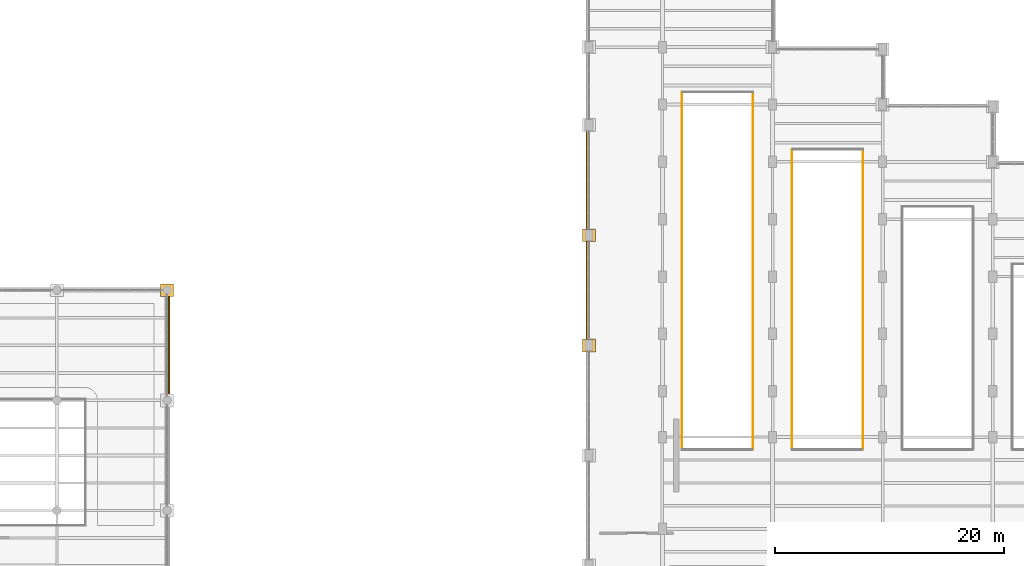
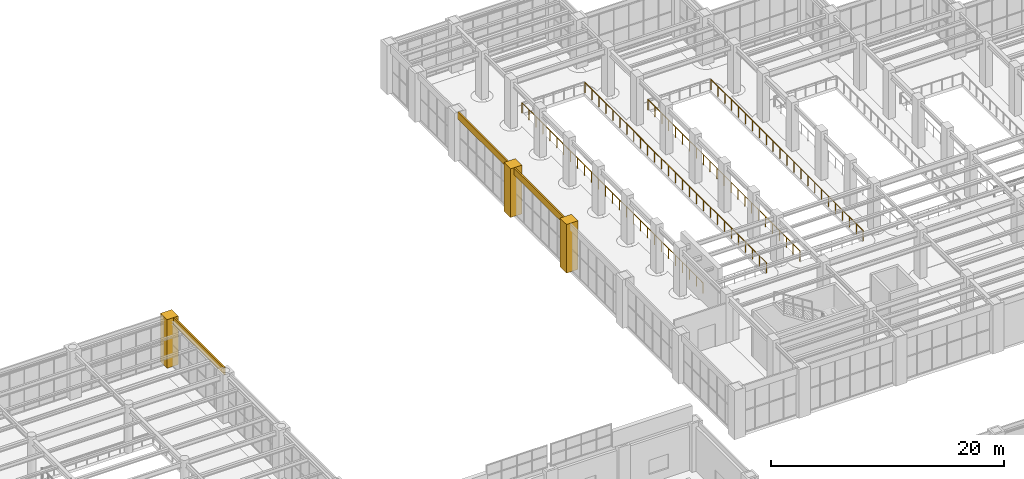
# One storey, part 169 of 174: 6 coverings, 4 railings.
"""IFC4 building model written with IfcOpenShell, lengths in metres."""

import ifcopenshell
import ifcopenshell.guid

model = None  # the IFC model being written
_history = None  # IfcOwnerHistory: only IFC2X3 demands one
_inside = {}  # id of a spatial element -> (the spatial element, [elements in it])
_under = {}  # id of a project, library or spatial element -> (it, [spatial elements below it])
_declared = {}  # id of a project -> (the project, [libraries it declares])
_typed = {}  # id of a type object -> (the type object, [elements of that type])
_made_of = {}  # id of a material, layer set ... -> (it, [elements and type objects made of it])


def new_model(schema):
    """Start an empty IFC model of exactly this schema.

    Asked for "IFC4X3", IfcOpenShell would pick the latest addendum, in which some entities
    have other attributes; the version numbers below select the first issue.
    IFC2X3 requires an IfcOwnerHistory on every rooted entity: one is made here for all.
    """
    global model, _history
    if schema == "IFC4X3":
        model = ifcopenshell.file(schema_version=(4, 3, 0, 0))
    else:
        model = ifcopenshell.file(schema=schema)
    _inside.clear()
    _under.clear()
    _declared.clear()
    _typed.clear()
    _made_of.clear()
    _history = None
    if model.schema == "IFC2X3":
        org = make("IfcOrganization", Name="unknown")
        user = make(
            "IfcPersonAndOrganization",
            ThePerson=make("IfcPerson", FamilyName="unknown"),
            TheOrganization=org,
        )
        app = make(
            "IfcApplication",
            ApplicationDeveloper=org,
            Version="unknown",
            ApplicationFullName="unknown",
            ApplicationIdentifier="unknown",
        )
        _history = make(
            "IfcOwnerHistory",
            OwningUser=user,
            OwningApplication=app,
            ChangeAction="ADDED",
            CreationDate=0,
        )
    return model


def make(cls, **values):
    """One entity of the class cls with the attributes given. An attribute that is None is left unset."""
    return model.create_entity(
        cls, **{name: value for name, value in values.items() if value is not None}
    )


def rooted(cls, **values):
    """An entity with a GlobalId (a new one), such as an element, a storey or a relation."""
    return make(cls, GlobalId=ifcopenshell.guid.new(), OwnerHistory=_history, **values)


def si_unit(unit_type, name, prefix=None):
    """IfcSIUnit, for example si_unit("LENGTHUNIT", "METRE", prefix="MILLI")."""
    return make("IfcSIUnit", UnitType=unit_type, Prefix=prefix, Name=name)


def assignment(units):
    """IfcUnitAssignment: the units of a project."""
    return None if units is None else make("IfcUnitAssignment", Units=units)


def point(xyz):
    """IfcCartesianPoint."""
    return None if xyz is None else make("IfcCartesianPoint", Coordinates=xyz)


def direction(xyz):
    """IfcDirection."""
    return None if xyz is None else make("IfcDirection", DirectionRatios=xyz)


def frame(location, z_axis=None, x_axis=None):
    """IfcAxis2Placement3D, a coordinate frame: its origin and axes. An axis left out is left unset."""
    return make(
        "IfcAxis2Placement3D",
        Location=point(location),
        Axis=direction(z_axis),
        RefDirection=direction(x_axis),
    )


def frame_2d(location, x_axis=None):
    """IfcAxis2Placement2D, a coordinate frame in the plane: its origin and x axis."""
    return make(
        "IfcAxis2Placement2D", Location=point(location), RefDirection=direction(x_axis)
    )


def origin():
    """The frame at (0, 0, 0) with its axes left unset."""
    return frame((0.0, 0.0, 0.0))


def origin_2d():
    """The frame at (0, 0) in the plane with its x axis left unset."""
    return frame_2d((0.0, 0.0))


def place(relative_to, where):
    """IfcLocalPlacement: puts the frame where relative to a parent placement (None: the world)."""
    return make(
        "IfcLocalPlacement", PlacementRelTo=relative_to, RelativePlacement=where
    )


def context(
    kind, dimensions, precision=None, world=None, true_north=None, identifier=None
):
    """IfcGeometricRepresentationContext, for example the 3D "Model" context."""
    return make(
        "IfcGeometricRepresentationContext",
        ContextIdentifier=identifier,
        ContextType=kind,
        CoordinateSpaceDimension=dimensions,
        Precision=precision,
        WorldCoordinateSystem=world,
        TrueNorth=true_north,
    )


def subcontext(parent, identifier, kind, view, scale=None):
    """IfcGeometricRepresentationSubContext, for example "Body" below "Model"."""
    return make(
        "IfcGeometricRepresentationSubContext",
        ContextIdentifier=identifier,
        ContextType=kind,
        ParentContext=parent,
        TargetScale=scale,
        TargetView=view,
    )


def project(units=None, contexts=None):
    """IfcProject with its units and contexts."""
    return rooted(
        "IfcProject",
        Name="project",
        RepresentationContexts=contexts,
        UnitsInContext=assignment(units),
    )


def spatial(cls, under=None, at=None, **own):
    """A site, building, storey or space (cls), placed at a placement, below another one or the project."""
    s = rooted(cls, ObjectPlacement=at, **own)
    if under is not None:
        _under.setdefault(under.id(), (under, []))[1].append(s)
    return s


def polyline(points):
    """IfcPolyline through the points."""
    return make("IfcPolyline", Points=[point(p) for p in points])


def profile(cls, at=None, kind="AREA", **sizes):
    """A parametric profile (cls). Its sizes go by their IFC names, for example OverallWidth=200.0."""
    return make(cls, ProfileType=kind, Position=at, **sizes)


def circle(**sizes):
    """IfcCircleProfileDef."""
    return profile("IfcCircleProfileDef", **sizes)


def outline(outer, holes=None, kind="AREA"):
    """IfcArbitraryClosedProfileDef: a profile drawn as a closed curve; with holes, ...WithVoids."""
    if holes is None:
        return make("IfcArbitraryClosedProfileDef", ProfileType=kind, OuterCurve=outer)
    return make(
        "IfcArbitraryProfileDefWithVoids",
        ProfileType=kind,
        OuterCurve=outer,
        InnerCurves=holes,
    )


def extrude(swept, where, along, depth):
    """IfcExtrudedAreaSolid: the profile swept, set in the frame where, extruded along a direction by depth."""
    return make(
        "IfcExtrudedAreaSolid",
        SweptArea=swept,
        Position=where,
        ExtrudedDirection=direction(along),
        Depth=depth,
    )


def shape(context_of_items, identifier, shape_type, items):
    """IfcShapeRepresentation: the items that make up one representation, for example the "Body"."""
    return make(
        "IfcShapeRepresentation",
        ContextOfItems=context_of_items,
        RepresentationIdentifier=identifier,
        RepresentationType=shape_type,
        Items=items,
    )


def material(Name=None, Category=None):
    """IfcMaterial."""
    return make("IfcMaterial", Name=Name, Category=Category)


def layer(
    of_material, thickness, ventilated=None, Name=None, Category=None, Priority=None
):
    """IfcMaterialLayer: one layer of a wall or slab, of a material (None: an air gap)."""
    return make(
        "IfcMaterialLayer",
        Material=of_material,
        LayerThickness=thickness,
        IsVentilated=ventilated,
        Name=Name,
        Category=Category,
        Priority=Priority,
    )


def layer_set(layers, Name=None):
    """IfcMaterialLayerSet."""
    return make("IfcMaterialLayerSet", MaterialLayers=layers, LayerSetName=Name)


def made_of(thing, what):
    """Note that an element or type object is made of a material, layer set ...; save() writes the relation."""
    if what is not None:
        _made_of.setdefault(what.id(), (what, []))[1].append(thing)
    return thing


def type_object(cls, material=None, **own):
    """A type object (cls), such as IfcWallType, which elements share."""
    return made_of(rooted(cls, **own), material)


def element(
    cls,
    number,
    at=None,
    inside=None,
    cuts=None,
    type_object=None,
    material=None,
    context=None,
    identifier="Body",
    shape_type=None,
    held_by="IfcProductDefinitionShape",
    body=None,
    shapes=None,
    **own,
):
    """One element of the class cls, such as IfcWall. Its Tag is "e" and its number.

    at: its placement. inside: the storey or other place that contains it. cuts: it is an
    opening in that element (IfcRelVoidsElement). A single representation is given by context,
    identifier, shape_type and body (its items); several are given by shapes. held_by: the class
    of the entity that holds the representations. save() writes the other relations.
    """
    e = rooted(cls, Tag="e%d" % number, ObjectPlacement=at, **own)
    if body is not None:
        shapes = [shape(context, identifier, shape_type, body)]
    if shapes is not None:
        e.Representation = make(held_by, Representations=shapes)
    if inside is not None:
        _inside.setdefault(inside.id(), (inside, []))[1].append(e)
    if cuts is not None:
        rooted(
            "IfcRelVoidsElement", RelatingBuildingElement=cuts, RelatedOpeningElement=e
        )
    if type_object is not None:
        _typed.setdefault(type_object.id(), (type_object, []))[1].append(e)
    return made_of(e, material)


def aggregate(whole, parts):
    """IfcRelAggregates: a whole, such as a stair, and the parts it consists of."""
    return rooted("IfcRelAggregates", RelatingObject=whole, RelatedObjects=parts)


def save(model, path):
    """Write the relations noted so far, then the file.

    IfcRelAggregates (storeys below a building ...), IfcRelContainedInSpatialStructure (elements
    in a storey), IfcRelDefinesByType, IfcRelAssociatesMaterial and IfcRelDeclares: one each for
    every whole, place, type object, material and project.
    """
    for whole, parts in _under.values():
        aggregate(whole, parts)
    for where, things in _inside.values():
        rooted(
            "IfcRelContainedInSpatialStructure",
            RelatedElements=things,
            RelatingStructure=where,
        )
    for kind, things in _typed.values():
        rooted("IfcRelDefinesByType", RelatedObjects=things, RelatingType=kind)
    for what, things in _made_of.values():
        rooted("IfcRelAssociatesMaterial", RelatedObjects=things, RelatingMaterial=what)
    for by, libraries in _declared.values():
        rooted("IfcRelDeclares", RelatingContext=by, RelatedDefinitions=libraries)
    model.write(path)


model = new_model("IFC4")

# Units and contexts
model_context = context("Model", 3, precision=1e-05, world=origin(), true_north=direction((0.0, 1.0)))
body_context = subcontext(model_context, "Body", "Model", "MODEL_VIEW")
ifc_project = project(units=[si_unit("LENGTHUNIT", "METRE"), si_unit("AREAUNIT", "SQUARE_METRE"), si_unit("VOLUMEUNIT", "CUBIC_METRE"), si_unit("PLANEANGLEUNIT", "RADIAN"), si_unit("MASSUNIT", "GRAM", prefix="KILO")], contexts=[model_context])

# Site, building, storey
site_placement = place(None, origin())
site = spatial("IfcSite", under=ifc_project, at=site_placement, CompositionType="ELEMENT")
building_placement = place(site_placement, origin())
building = spatial("IfcBuilding", under=site, at=building_placement, Name="Mavantir Sound Aquarium", CompositionType="ELEMENT")
storey_placement = place(building_placement, frame((0.0, 0.0, 5.39990234375)))
storey = spatial("IfcBuildingStorey", under=building, at=storey_placement, Name="L01", CompositionType="ELEMENT", Elevation=5.39990234375)

# Coverings
ifc_material_1 = material(Name="Honed Coral-Limestone & Glazed Terracotta Rainscreen Cladding", Category="masonry")
ifc_layer = layer(ifc_material_1, 0.06005859375, Name="Honed Coral-Limestone & Glazed Terracotta Rainscreen Cladding")
ifc_layer_set = layer_set([ifc_layer], Name="Honed Coral-Limestone & Glazed Terracotta Rainscreen Cladding")
covering_type = type_object("IfcCoveringType", Name="COV-CLAD-TC", PredefinedType="CLADDING", material=ifc_layer_set)
covering_1_placement = place(storey_placement, frame((0.0, 0.0, 4.343017578125)))
element("IfcCovering", 1, at=covering_1_placement, inside=storey, type_object=covering_type, Name="L01 Postmodern coral-limestone spandrel frieze 184", PredefinedType="CLADDING", context=body_context, shape_type="SweptSolid", body=[
    extrude(outline(polyline([(64.889892578125, 60.383056640625), (64.889892578125, 69.217041015625), (65.0400390625, 69.217041015625), (65.0400390625, 60.383056640625), (64.889892578125, 60.383056640625)])), origin(), (0.0, 0.0, 1.0), 0.757080078125),
])
covering_2_placement = place(storey_placement, frame((0.0, 0.0, 4.39599609375)))
element("IfcCovering", 2, at=covering_2_placement, inside=storey, type_object=covering_type, Name="L01 Postmodern coral-limestone spandrel frieze 219", PredefinedType="CLADDING", context=body_context, shape_type="SweptSolid", body=[
    extrude(outline(polyline([(101.510009765625, 83.491943359375), (101.510009765625, 74.907958984375), (101.360107421875, 74.907958984375), (101.360107421875, 83.491943359375), (101.510009765625, 83.491943359375)])), origin(), (0.0, 0.0, 1.0), 0.7041015625),
])
covering_3_placement = place(storey_placement, frame((0.0, 0.0, 4.39599609375)))
element("IfcCovering", 3, at=covering_3_placement, inside=storey, type_object=covering_type, Name="L01 Postmodern coral-limestone spandrel frieze 220", PredefinedType="CLADDING", context=body_context, shape_type="SweptSolid", body=[
    extrude(outline(polyline([(101.510009765625, 73.89208984375), (101.510009765625, 65.30810546875), (101.360107421875, 65.30810546875), (101.360107421875, 73.89208984375), (101.510009765625, 73.89208984375)])), origin(), (0.0, 0.0, 1.0), 0.7041015625),
])
covering_4_placement = place(storey_placement, origin())
element("IfcCovering", 4, at=covering_4_placement, inside=storey, type_object=covering_type, Name="L01 Postmodern coral-limestone pilaster casing 158", PredefinedType="CLADDING", context=body_context, shape_type="SweptSolid", body=[
    extrude(outline(polyline([(64.239990234375, 69.0400390625), (65.360107421875, 69.0400390625), (65.360107421875, 70.159912109375), (64.239990234375, 70.159912109375), (64.239990234375, 69.0400390625)])), origin(), (0.0, 0.0, 1.0), 5.10009765625),
])
covering_5_placement = place(storey_placement, origin())
element("IfcCovering", 5, at=covering_5_placement, inside=storey, type_object=covering_type, Name="L01 Postmodern coral-limestone pilaster casing 218", PredefinedType="CLADDING", context=body_context, shape_type="SweptSolid", body=[
    extrude(outline(polyline([(101.0400390625, 64.239990234375), (102.159912109375, 64.239990234375), (102.159912109375, 65.360107421875), (101.0400390625, 65.360107421875), (101.0400390625, 64.239990234375)])), origin(), (0.0, 0.0, 1.0), 5.10009765625),
])
covering_6_placement = place(storey_placement, origin())
element("IfcCovering", 6, at=covering_6_placement, inside=storey, type_object=covering_type, Name="L01 Postmodern coral-limestone pilaster casing 220", PredefinedType="CLADDING", context=body_context, shape_type="SweptSolid", body=[
    extrude(outline(polyline([(101.0400390625, 73.840087890625), (102.159912109375, 73.840087890625), (102.159912109375, 74.9599609375), (101.0400390625, 74.9599609375), (101.0400390625, 73.840087890625)])), origin(), (0.0, 0.0, 1.0), 5.10009765625),
])

# Railings
ifc_material_2 = material(Name="Stainless Steel 316 and Laminated Glass Guardrail", Category="steel")
railing_type = type_object("IfcRailingType", Name="RL-GUARD-110", PredefinedType="GUARDRAIL", material=ifc_material_2)
railing_1_placement = place(storey_placement, frame((115.89990234375, 55.699951171875, 0.0)))
element("IfcRailing", 7, at=railing_1_placement, inside=storey, type_object=railing_type, Name="L01 atrium void E guardrail 100", PredefinedType="GUARDRAIL", context=body_context, shape_type="SweptSolid", body=[
    extrude(circle(Radius=0.02392578125, at=origin_2d()), frame((0.0, 0.0, 1.076171875), z_axis=(0.0, 1.0, 0.0), x_axis=(-1.0, 0.0, 0.0)), (0.0, 0.0, 1.0), 31.1201171875),
    extrude(circle(Radius=0.02099609375, at=origin_2d()), origin(), (0.0, 0.0, 1.0), 1.052001953125),
    extrude(circle(Radius=0.02099609375, at=origin_2d()), frame((0.0, 1.197021484375, 0.0)), (0.0, 0.0, 1.0), 1.052001953125),
    extrude(circle(Radius=0.02099609375, at=origin_2d()), frame((0.0, 2.393798828125, 0.0)), (0.0, 0.0, 1.0), 1.052001953125),
    extrude(circle(Radius=0.02099609375, at=origin_2d()), frame((0.0, 3.5908203125, 0.0)), (0.0, 0.0, 1.0), 1.052001953125),
    extrude(circle(Radius=0.02099609375, at=origin_2d()), frame((0.0, 4.78759765625, 0.0)), (0.0, 0.0, 1.0), 1.052001953125),
    extrude(circle(Radius=0.02099609375, at=origin_2d()), frame((0.0, 5.984619140625, 0.0)), (0.0, 0.0, 1.0), 1.052001953125),
    extrude(circle(Radius=0.02099609375, at=origin_2d()), frame((0.0, 7.181640625, 0.0)), (0.0, 0.0, 1.0), 1.052001953125),
    extrude(circle(Radius=0.02099609375, at=origin_2d()), frame((0.0, 8.37841796875, 0.0)), (0.0, 0.0, 1.0), 1.052001953125),
    extrude(circle(Radius=0.02099609375, at=origin_2d()), frame((0.0, 9.575439453125, 0.0)), (0.0, 0.0, 1.0), 1.052001953125),
    extrude(circle(Radius=0.02099609375, at=origin_2d()), frame((0.0, 10.7724609375, 0.0)), (0.0, 0.0, 1.0), 1.052001953125),
    extrude(circle(Radius=0.02099609375, at=origin_2d()), frame((0.0, 11.96923828125, 0.0)), (0.0, 0.0, 1.0), 1.052001953125),
    extrude(circle(Radius=0.02099609375, at=origin_2d()), frame((0.0, 13.166259765625, 0.0)), (0.0, 0.0, 1.0), 1.052001953125),
    extrude(circle(Radius=0.02099609375, at=origin_2d()), frame((0.0, 14.363037109375, 0.0)), (0.0, 0.0, 1.0), 1.052001953125),
    extrude(circle(Radius=0.02099609375, at=origin_2d()), frame((0.0, 15.56005859375, 0.0)), (0.0, 0.0, 1.0), 1.052001953125),
    extrude(circle(Radius=0.02099609375, at=origin_2d()), frame((0.0, 16.757080078125, 0.0)), (0.0, 0.0, 1.0), 1.052001953125),
    extrude(circle(Radius=0.02099609375, at=origin_2d()), frame((0.0, 17.953857421875, 0.0)), (0.0, 0.0, 1.0), 1.052001953125),
    extrude(circle(Radius=0.02099609375, at=origin_2d()), frame((0.0, 19.15087890625, 0.0)), (0.0, 0.0, 1.0), 1.052001953125),
    extrude(circle(Radius=0.02099609375, at=origin_2d()), frame((0.0, 20.34765625, 0.0)), (0.0, 0.0, 1.0), 1.052001953125),
    extrude(circle(Radius=0.02099609375, at=origin_2d()), frame((0.0, 21.544677734375, 0.0)), (0.0, 0.0, 1.0), 1.052001953125),
    extrude(circle(Radius=0.02099609375, at=origin_2d()), frame((0.0, 22.74169921875, 0.0)), (0.0, 0.0, 1.0), 1.052001953125),
    extrude(circle(Radius=0.02099609375, at=origin_2d()), frame((0.0, 23.9384765625, 0.0)), (0.0, 0.0, 1.0), 1.052001953125),
    extrude(circle(Radius=0.02099609375, at=origin_2d()), frame((0.0, 25.135498046875, 0.0)), (0.0, 0.0, 1.0), 1.052001953125),
    extrude(circle(Radius=0.02099609375, at=origin_2d()), frame((0.0, 26.33251953125, 0.0)), (0.0, 0.0, 1.0), 1.052001953125),
    extrude(circle(Radius=0.02099609375, at=origin_2d()), frame((0.0, 27.529296875, 0.0)), (0.0, 0.0, 1.0), 1.052001953125),
    extrude(circle(Radius=0.02099609375, at=origin_2d()), frame((0.0, 28.726318359375, 0.0)), (0.0, 0.0, 1.0), 1.052001953125),
    extrude(circle(Radius=0.02099609375, at=origin_2d()), frame((0.0, 29.923095703125, 0.0)), (0.0, 0.0, 1.0), 1.052001953125),
    extrude(circle(Radius=0.02099609375, at=origin_2d()), frame((0.0, 31.1201171875, 0.0)), (0.0, 0.0, 1.0), 1.052001953125),
])
railing_2_placement = place(storey_placement, frame((109.699951171875, 86.89990234375, 0.0)))
element("IfcRailing", 8, at=railing_2_placement, inside=storey, type_object=railing_type, Name="L01 atrium void W guardrail 102", PredefinedType="GUARDRAIL", context=body_context, shape_type="SweptSolid", body=[
    extrude(circle(Radius=0.02392578125, at=origin_2d()), frame((0.0, 0.0, 1.076171875), z_axis=(0.0, -1.0, 0.0), x_axis=(1.0, 0.0, 0.0)), (0.0, 0.0, 1.0), 31.119873046875),
    extrude(circle(Radius=0.02099609375, at=origin_2d()), origin(), (0.0, 0.0, 1.0), 1.052001953125),
    extrude(circle(Radius=0.02099609375, at=origin_2d()), frame((0.0, -1.197021484375, 0.0)), (0.0, 0.0, 1.0), 1.052001953125),
    extrude(circle(Radius=0.02099609375, at=origin_2d()), frame((0.0, -2.393798828125, 0.0)), (0.0, 0.0, 1.0), 1.052001953125),
    extrude(circle(Radius=0.02099609375, at=origin_2d()), frame((0.0, -3.5908203125, 0.0)), (0.0, 0.0, 1.0), 1.052001953125),
    extrude(circle(Radius=0.02099609375, at=origin_2d()), frame((0.0, -4.78759765625, 0.0)), (0.0, 0.0, 1.0), 1.052001953125),
    extrude(circle(Radius=0.02099609375, at=origin_2d()), frame((0.0, -5.984619140625, 0.0)), (0.0, 0.0, 1.0), 1.052001953125),
    extrude(circle(Radius=0.02099609375, at=origin_2d()), frame((0.0, -7.181396484375, 0.0)), (0.0, 0.0, 1.0), 1.052001953125),
    extrude(circle(Radius=0.02099609375, at=origin_2d()), frame((0.0, -8.37841796875, 0.0)), (0.0, 0.0, 1.0), 1.052001953125),
    extrude(circle(Radius=0.02099609375, at=origin_2d()), frame((0.0, -9.575439453125, 0.0)), (0.0, 0.0, 1.0), 1.052001953125),
    extrude(circle(Radius=0.02099609375, at=origin_2d()), frame((0.0, -10.772216796875, 0.0)), (0.0, 0.0, 1.0), 1.052001953125),
    extrude(circle(Radius=0.02099609375, at=origin_2d()), frame((0.0, -11.96923828125, 0.0)), (0.0, 0.0, 1.0), 1.052001953125),
    extrude(circle(Radius=0.02099609375, at=origin_2d()), frame((0.0, -13.166015625, 0.0)), (0.0, 0.0, 1.0), 1.052001953125),
    extrude(circle(Radius=0.02099609375, at=origin_2d()), frame((0.0, -14.363037109375, 0.0)), (0.0, 0.0, 1.0), 1.052001953125),
    extrude(circle(Radius=0.02099609375, at=origin_2d()), frame((0.0, -15.56005859375, 0.0)), (0.0, 0.0, 1.0), 1.052001953125),
    extrude(circle(Radius=0.02099609375, at=origin_2d()), frame((0.0, -16.7568359375, 0.0)), (0.0, 0.0, 1.0), 1.052001953125),
    extrude(circle(Radius=0.02099609375, at=origin_2d()), frame((0.0, -17.953857421875, 0.0)), (0.0, 0.0, 1.0), 1.052001953125),
    extrude(circle(Radius=0.02099609375, at=origin_2d()), frame((0.0, -19.150634765625, 0.0)), (0.0, 0.0, 1.0), 1.052001953125),
    extrude(circle(Radius=0.02099609375, at=origin_2d()), frame((0.0, -20.34765625, 0.0)), (0.0, 0.0, 1.0), 1.052001953125),
    extrude(circle(Radius=0.02099609375, at=origin_2d()), frame((0.0, -21.54443359375, 0.0)), (0.0, 0.0, 1.0), 1.052001953125),
    extrude(circle(Radius=0.02099609375, at=origin_2d()), frame((0.0, -22.741455078125, 0.0)), (0.0, 0.0, 1.0), 1.052001953125),
    extrude(circle(Radius=0.02099609375, at=origin_2d()), frame((0.0, -23.9384765625, 0.0)), (0.0, 0.0, 1.0), 1.052001953125),
    extrude(circle(Radius=0.02099609375, at=origin_2d()), frame((0.0, -25.13525390625, 0.0)), (0.0, 0.0, 1.0), 1.052001953125),
    extrude(circle(Radius=0.02099609375, at=origin_2d()), frame((0.0, -26.332275390625, 0.0)), (0.0, 0.0, 1.0), 1.052001953125),
    extrude(circle(Radius=0.02099609375, at=origin_2d()), frame((0.0, -27.529052734375, 0.0)), (0.0, 0.0, 1.0), 1.052001953125),
    extrude(circle(Radius=0.02099609375, at=origin_2d()), frame((0.0, -28.72607421875, 0.0)), (0.0, 0.0, 1.0), 1.052001953125),
    extrude(circle(Radius=0.02099609375, at=origin_2d()), frame((0.0, -29.9228515625, 0.0)), (0.0, 0.0, 1.0), 1.052001953125),
    extrude(circle(Radius=0.02099609375, at=origin_2d()), frame((0.0, -31.119873046875, 0.0)), (0.0, 0.0, 1.0), 1.052001953125),
])
railing_3_placement = place(storey_placement, frame((125.5, 55.699951171875, 0.0)))
element("IfcRailing", 9, at=railing_3_placement, inside=storey, type_object=railing_type, Name="L01 atrium void E guardrail 104", PredefinedType="GUARDRAIL", context=body_context, shape_type="SweptSolid", body=[
    extrude(circle(Radius=0.02392578125, at=origin_2d()), frame((0.0, 0.0, 1.076171875), z_axis=(0.0, 1.0, 0.0), x_axis=(-1.0, 0.0, 0.0)), (0.0, 0.0, 1.0), 26.1201171875),
    extrude(circle(Radius=0.02099609375, at=origin_2d()), origin(), (0.0, 0.0, 1.0), 1.052001953125),
    extrude(circle(Radius=0.02099609375, at=origin_2d()), frame((0.0, 1.187255859375, 0.0)), (0.0, 0.0, 1.0), 1.052001953125),
    extrude(circle(Radius=0.02099609375, at=origin_2d()), frame((0.0, 2.37451171875, 0.0)), (0.0, 0.0, 1.0), 1.052001953125),
    extrude(circle(Radius=0.02099609375, at=origin_2d()), frame((0.0, 3.561767578125, 0.0)), (0.0, 0.0, 1.0), 1.052001953125),
    extrude(circle(Radius=0.02099609375, at=origin_2d()), frame((0.0, 4.7490234375, 0.0)), (0.0, 0.0, 1.0), 1.052001953125),
    extrude(circle(Radius=0.02099609375, at=origin_2d()), frame((0.0, 5.936279296875, 0.0)), (0.0, 0.0, 1.0), 1.052001953125),
    extrude(circle(Radius=0.02099609375, at=origin_2d()), frame((0.0, 7.123779296875, 0.0)), (0.0, 0.0, 1.0), 1.052001953125),
    extrude(circle(Radius=0.02099609375, at=origin_2d()), frame((0.0, 8.31103515625, 0.0)), (0.0, 0.0, 1.0), 1.052001953125),
    extrude(circle(Radius=0.02099609375, at=origin_2d()), frame((0.0, 9.498291015625, 0.0)), (0.0, 0.0, 1.0), 1.052001953125),
    extrude(circle(Radius=0.02099609375, at=origin_2d()), frame((0.0, 10.685546875, 0.0)), (0.0, 0.0, 1.0), 1.052001953125),
    extrude(circle(Radius=0.02099609375, at=origin_2d()), frame((0.0, 11.872802734375, 0.0)), (0.0, 0.0, 1.0), 1.052001953125),
    extrude(circle(Radius=0.02099609375, at=origin_2d()), frame((0.0, 13.06005859375, 0.0)), (0.0, 0.0, 1.0), 1.052001953125),
    extrude(circle(Radius=0.02099609375, at=origin_2d()), frame((0.0, 14.247314453125, 0.0)), (0.0, 0.0, 1.0), 1.052001953125),
    extrude(circle(Radius=0.02099609375, at=origin_2d()), frame((0.0, 15.4345703125, 0.0)), (0.0, 0.0, 1.0), 1.052001953125),
    extrude(circle(Radius=0.02099609375, at=origin_2d()), frame((0.0, 16.621826171875, 0.0)), (0.0, 0.0, 1.0), 1.052001953125),
    extrude(circle(Radius=0.02099609375, at=origin_2d()), frame((0.0, 17.80908203125, 0.0)), (0.0, 0.0, 1.0), 1.052001953125),
    extrude(circle(Radius=0.02099609375, at=origin_2d()), frame((0.0, 18.996337890625, 0.0)), (0.0, 0.0, 1.0), 1.052001953125),
    extrude(circle(Radius=0.02099609375, at=origin_2d()), frame((0.0, 20.183837890625, 0.0)), (0.0, 0.0, 1.0), 1.052001953125),
    extrude(circle(Radius=0.02099609375, at=origin_2d()), frame((0.0, 21.37109375, 0.0)), (0.0, 0.0, 1.0), 1.052001953125),
    extrude(circle(Radius=0.02099609375, at=origin_2d()), frame((0.0, 22.558349609375, 0.0)), (0.0, 0.0, 1.0), 1.052001953125),
    extrude(circle(Radius=0.02099609375, at=origin_2d()), frame((0.0, 23.74560546875, 0.0)), (0.0, 0.0, 1.0), 1.052001953125),
    extrude(circle(Radius=0.02099609375, at=origin_2d()), frame((0.0, 24.932861328125, 0.0)), (0.0, 0.0, 1.0), 1.052001953125),
    extrude(circle(Radius=0.02099609375, at=origin_2d()), frame((0.0, 26.1201171875, 0.0)), (0.0, 0.0, 1.0), 1.052001953125),
])
railing_4_placement = place(storey_placement, frame((119.300048828125, 81.89990234375, 0.0)))
element("IfcRailing", 10, at=railing_4_placement, inside=storey, type_object=railing_type, Name="L01 atrium void W guardrail 106", PredefinedType="GUARDRAIL", context=body_context, shape_type="SweptSolid", body=[
    extrude(circle(Radius=0.02392578125, at=origin_2d()), frame((0.0, 0.0, 1.076171875), z_axis=(0.0, -1.0, 0.0), x_axis=(1.0, 0.0, 0.0)), (0.0, 0.0, 1.0), 26.119873046875),
    extrude(circle(Radius=0.02099609375, at=origin_2d()), origin(), (0.0, 0.0, 1.0), 1.052001953125),
    extrude(circle(Radius=0.02099609375, at=origin_2d()), frame((0.0, -1.187255859375, 0.0)), (0.0, 0.0, 1.0), 1.052001953125),
    extrude(circle(Radius=0.02099609375, at=origin_2d()), frame((0.0, -2.37451171875, 0.0)), (0.0, 0.0, 1.0), 1.052001953125),
    extrude(circle(Radius=0.02099609375, at=origin_2d()), frame((0.0, -3.561767578125, 0.0)), (0.0, 0.0, 1.0), 1.052001953125),
    extrude(circle(Radius=0.02099609375, at=origin_2d()), frame((0.0, -4.7490234375, 0.0)), (0.0, 0.0, 1.0), 1.052001953125),
    extrude(circle(Radius=0.02099609375, at=origin_2d()), frame((0.0, -5.936279296875, 0.0)), (0.0, 0.0, 1.0), 1.052001953125),
    extrude(circle(Radius=0.02099609375, at=origin_2d()), frame((0.0, -7.12353515625, 0.0)), (0.0, 0.0, 1.0), 1.052001953125),
    extrude(circle(Radius=0.02099609375, at=origin_2d()), frame((0.0, -8.310791015625, 0.0)), (0.0, 0.0, 1.0), 1.052001953125),
    extrude(circle(Radius=0.02099609375, at=origin_2d()), frame((0.0, -9.498046875, 0.0)), (0.0, 0.0, 1.0), 1.052001953125),
    extrude(circle(Radius=0.02099609375, at=origin_2d()), frame((0.0, -10.685302734375, 0.0)), (0.0, 0.0, 1.0), 1.052001953125),
    extrude(circle(Radius=0.02099609375, at=origin_2d()), frame((0.0, -11.87255859375, 0.0)), (0.0, 0.0, 1.0), 1.052001953125),
    extrude(circle(Radius=0.02099609375, at=origin_2d()), frame((0.0, -13.06005859375, 0.0)), (0.0, 0.0, 1.0), 1.052001953125),
    extrude(circle(Radius=0.02099609375, at=origin_2d()), frame((0.0, -14.247314453125, 0.0)), (0.0, 0.0, 1.0), 1.052001953125),
    extrude(circle(Radius=0.02099609375, at=origin_2d()), frame((0.0, -15.4345703125, 0.0)), (0.0, 0.0, 1.0), 1.052001953125),
    extrude(circle(Radius=0.02099609375, at=origin_2d()), frame((0.0, -16.621826171875, 0.0)), (0.0, 0.0, 1.0), 1.052001953125),
    extrude(circle(Radius=0.02099609375, at=origin_2d()), frame((0.0, -17.80908203125, 0.0)), (0.0, 0.0, 1.0), 1.052001953125),
    extrude(circle(Radius=0.02099609375, at=origin_2d()), frame((0.0, -18.996337890625, 0.0)), (0.0, 0.0, 1.0), 1.052001953125),
    extrude(circle(Radius=0.02099609375, at=origin_2d()), frame((0.0, -20.18359375, 0.0)), (0.0, 0.0, 1.0), 1.052001953125),
    extrude(circle(Radius=0.02099609375, at=origin_2d()), frame((0.0, -21.370849609375, 0.0)), (0.0, 0.0, 1.0), 1.052001953125),
    extrude(circle(Radius=0.02099609375, at=origin_2d()), frame((0.0, -22.55810546875, 0.0)), (0.0, 0.0, 1.0), 1.052001953125),
    extrude(circle(Radius=0.02099609375, at=origin_2d()), frame((0.0, -23.745361328125, 0.0)), (0.0, 0.0, 1.0), 1.052001953125),
    extrude(circle(Radius=0.02099609375, at=origin_2d()), frame((0.0, -24.9326171875, 0.0)), (0.0, 0.0, 1.0), 1.052001953125),
    extrude(circle(Radius=0.02099609375, at=origin_2d()), frame((0.0, -26.119873046875, 0.0)), (0.0, 0.0, 1.0), 1.052001953125),
])

save(model, "model.ifc")
